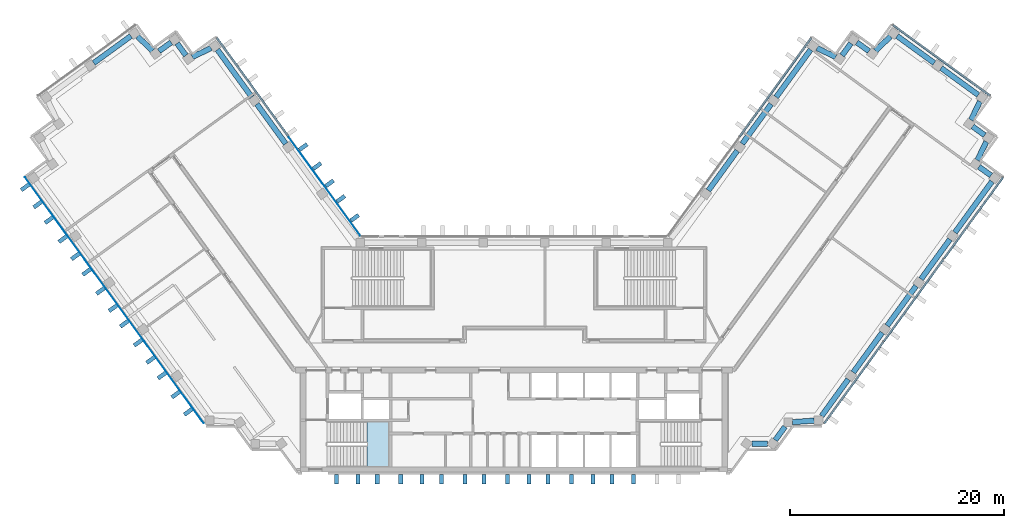
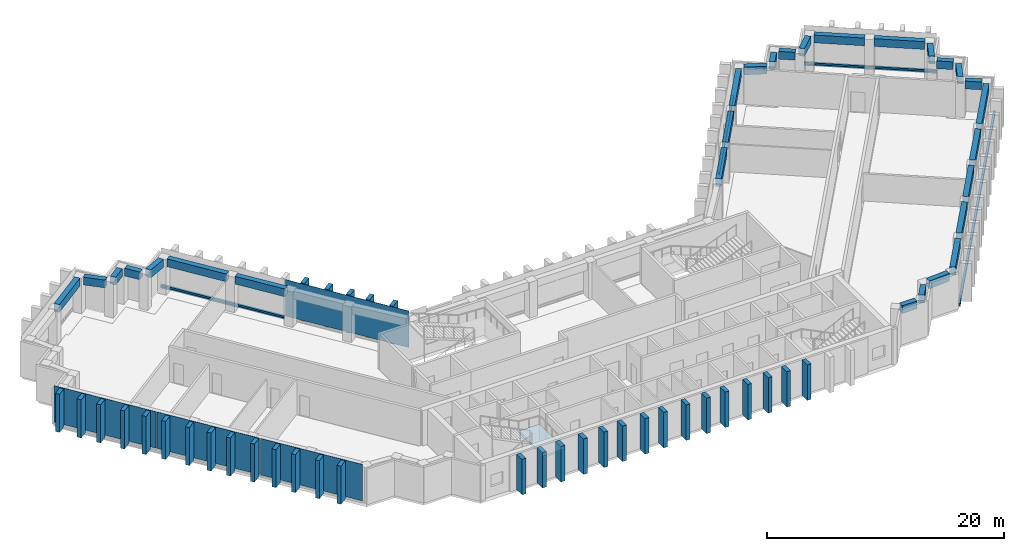
"""IFC4 building model written with IfcOpenShell, lengths in metres."""

from ifc_helpers import new_model, si_unit, direction, frame, origin, origin_2d, place, context, subcontext, project, spatial, polyline, rectangle, outline, extrude, material, layer, layer_set, material_profile, profile_set, type_object, element, aggregate, save


model = new_model("IFC4")

# Units and contexts
model_context = context("Model", 3, precision=1e-05, world=origin(), true_north=direction((0.0, 1.0)))
body_context = subcontext(model_context, "Body", "Model", "MODEL_VIEW")
ifc_project = project(units=[si_unit("LENGTHUNIT", "METRE"), si_unit("AREAUNIT", "SQUARE_METRE"), si_unit("VOLUMEUNIT", "CUBIC_METRE"), si_unit("PLANEANGLEUNIT", "RADIAN"), si_unit("MASSUNIT", "GRAM", prefix="KILO")], contexts=[model_context])

# Site, building, storey
site_placement = place(None, origin())
site = spatial("IfcSite", under=ifc_project, at=site_placement, CompositionType="ELEMENT")
building_placement = place(site_placement, origin())
building = spatial("IfcBuilding", under=site, at=building_placement, Name="Quipu Civic Tower", CompositionType="ELEMENT")
storey_1_placement = place(building_placement, frame((0.0, 0.0, 168.0)))
storey_1 = spatial("IfcBuildingStorey", under=building, at=storey_1_placement, Name="L39", CompositionType="ELEMENT", Elevation=168.0)

# Beams
ifc_material_1 = material(Name="Concrete C50/60", Category="concrete")
ifc_material_profile_1 = material_profile(ifc_material_1, rectangle(XDim=0.5, YDim=0.800048828125, at=origin_2d()), Name="RC500x800")
ifc_profile_set_1 = profile_set([ifc_material_profile_1], Name="Concrete C50/60")
beam_type = type_object("IfcBeamType", Name="Spandrel beam RC 500x800 C50/60", PredefinedType="SPANDREL", material=ifc_profile_set_1)
beam_1_placement = place(storey_1_placement, frame((-21.382568359375, 19.767333984375, 3.25), z_axis=(-0.587736122681, 0.809052686848, 0.0), x_axis=(-0.809052686848, -0.587736122681, 0.0)))
element("IfcBeam", 1, at=beam_1_placement, inside=storey_1, type_object=beam_type, Name="Spandrel beam L39 W-IN-02 to W-IN-03", PredefinedType="SPANDREL", context=body_context, shape_type="SweptSolid", body=[
    extrude(rectangle(XDim=0.5, YDim=0.800048828125, at=origin_2d()), origin(), (0.0, 0.0, 1.0), 4.60009765625),
])
beam_2_placement = place(storey_1_placement, frame((-24.556396484375, 24.13623046875, 3.25), z_axis=(-0.587664254196, 0.809104890815, 0.0), x_axis=(-0.809104890815, -0.587664254196, 0.0)))
element("IfcBeam", 2, at=beam_2_placement, inside=storey_1, type_object=beam_type, Name="Spandrel beam L39 W-IN-03 to T-Wi.0-W34", PredefinedType="SPANDREL", context=body_context, shape_type="SweptSolid", body=[
    extrude(rectangle(XDim=0.5, YDim=0.800048828125, at=origin_2d()), origin(), (0.0, 0.0, 1.0), 5.493896484375),
])
beam_3_placement = place(storey_1_placement, frame((-28.38720703125, 28.72998046875, 3.25), z_axis=(-0.902584802379, -0.430512107279, 0.0), x_axis=(0.430512107279, -0.902584802379, 0.0)))
element("IfcBeam", 3, at=beam_3_placement, inside=storey_1, type_object=beam_type, Name="Spandrel beam L39 T-Wi.0-W34 to T-Wi.1-W34", PredefinedType="SPANDREL", context=body_context, shape_type="SweptSolid", body=[
    extrude(rectangle(XDim=0.5, YDim=0.800048828125, at=origin_2d()), origin(), (0.0, 0.0, 1.0), 1.9326171875),
])
beam_4_placement = place(storey_1_placement, frame((-30.734375, 28.0458984375, 3.25), z_axis=(-0.589342949835, 0.80788296645, 0.0), x_axis=(-0.80788296645, -0.589342949835, 0.0)))
element("IfcBeam", 4, at=beam_4_placement, inside=storey_1, type_object=beam_type, Name="Spandrel beam L39 T-Wi.1-W34 to T-Wi.2-W34", PredefinedType="SPANDREL", context=body_context, shape_type="SweptSolid", body=[
    extrude(rectangle(XDim=0.5, YDim=0.800048828125, at=origin_2d()), origin(), (0.0, 0.0, 1.0), 1.39990234375),
])
beam_5_placement = place(storey_1_placement, frame((-32.118896484375, 29.26513671875, 3.25), z_axis=(-0.80941533633, -0.587236590578, 0.0), x_axis=(0.587236590578, -0.80941533633, 0.0)))
element("IfcBeam", 5, at=beam_5_placement, inside=storey_1, type_object=beam_type, Name="Spandrel beam L39 T-Wi.2-W34 to T-Wi.3-W34", PredefinedType="SPANDREL", context=body_context, shape_type="SweptSolid", body=[
    extrude(rectangle(XDim=0.5, YDim=0.800048828125, at=origin_2d()), origin(), (0.0, 0.0, 1.0), 1.397705078125),
])
beam_6_placement = place(storey_1_placement, frame((-33.868896484375, 28.489501953125, 3.25), z_axis=(-0.72519185421, 0.68854685722, 0.0), x_axis=(-0.68854685722, -0.72519185421, 0.0)))
element("IfcBeam", 6, at=beam_6_placement, inside=storey_1, type_object=beam_type, Name="Spandrel beam L39 T-Wi.3-W34 to T-Wi.4-W34", PredefinedType="SPANDREL", context=body_context, shape_type="SweptSolid", body=[
    extrude(rectangle(XDim=0.5, YDim=0.800048828125, at=origin_2d()), origin(), (0.0, 0.0, 1.0), 1.93212890625),
])
beam_7_placement = place(storey_1_placement, frame((-35.888671875, 29.86474609375, 3.25), z_axis=(-0.808983997561, -0.58783066583, 0.0), x_axis=(0.58783066583, -0.808983997561, 0.0)))
element("IfcBeam", 7, at=beam_7_placement, inside=storey_1, type_object=beam_type, Name="Spandrel beam L39 T-Wi.4-W34 to TIP-W-01-W34", PredefinedType="SPANDREL", context=body_context, shape_type="SweptSolid", body=[
    extrude(rectangle(XDim=0.5, YDim=0.800048828125, at=origin_2d()), origin(), (0.0, 0.0, 1.0), 4.2998046875),
])
beam_8_placement = place(storey_1_placement, frame((22.2861328125, -8.31494140625, 3.25), z_axis=(1.0, 0.0, 0.0), x_axis=(0.0, 1.0, 0.0)))
element("IfcBeam", 8, at=beam_8_placement, inside=storey_1, type_object=beam_type, Name="Spandrel beam L39 J-Eo.1 to J-Eo.2", PredefinedType="SPANDREL", context=body_context, shape_type="SweptSolid", body=[
    extrude(rectangle(XDim=0.5, YDim=0.800048828125, at=origin_2d()), origin(), (0.0, 0.0, 1.0), 1.454345703125),
])
beam_9_placement = place(storey_1_placement, frame((24.470458984375, -7.991455078125, 3.25), z_axis=(0.588405601119, 0.808565920981, 0.0), x_axis=(-0.808565920981, 0.588405601119, 0.0)))
element("IfcBeam", 9, at=beam_9_placement, inside=storey_1, type_object=beam_type, Name="Spandrel beam L39 J-Eo.2 to J-Eo.3", PredefinedType="SPANDREL", context=body_context, shape_type="SweptSolid", body=[
    extrude(rectangle(XDim=0.5, YDim=0.800048828125, at=origin_2d()), origin(), (0.0, 0.0, 1.0), 1.55126953125),
])
beam_10_placement = place(storey_1_placement, frame((26.074462890625, -6.307861328125, 3.25), z_axis=(0.997372997143, 0.072436900614, 0.0), x_axis=(-0.072436900614, 0.997372997143, 0.0)))
element("IfcBeam", 10, at=beam_10_placement, inside=storey_1, type_object=beam_type, Name="Spandrel beam L39 J-Eo.3 to J-Eo.4", PredefinedType="SPANDREL", context=body_context, shape_type="SweptSolid", body=[
    extrude(rectangle(XDim=0.5, YDim=0.800048828125, at=origin_2d()), origin(), (0.0, 0.0, 1.0), 2.055908203125),
])
beam_11_placement = place(storey_1_placement, frame((28.815673828125, -5.72998046875, 3.25), z_axis=(0.58776850526, 0.809029161541, 0.0), x_axis=(-0.809029161541, 0.58776850526, 0.0)))
element("IfcBeam", 11, at=beam_11_placement, inside=storey_1, type_object=beam_type, Name="Spandrel beam L39 J-Eo.4 to E-OUT-01", PredefinedType="SPANDREL", context=body_context, shape_type="SweptSolid", body=[
    extrude(rectangle(XDim=0.5, YDim=0.800048828125, at=origin_2d()), origin(), (0.0, 0.0, 1.0), 4.249267578125),
])
beam_12_placement = place(storey_1_placement, frame((31.783447265625, -1.64501953125, 3.25), z_axis=(0.587796098864, 0.809009113768, 0.0), x_axis=(-0.809009113768, 0.587796098864, 0.0)))
element("IfcBeam", 12, at=beam_12_placement, inside=storey_1, type_object=beam_type, Name="Spandrel beam L39 E-OUT-01 to E-OUT-02", PredefinedType="SPANDREL", context=body_context, shape_type="SweptSolid", body=[
    extrude(rectangle(XDim=0.5, YDim=0.800048828125, at=origin_2d()), origin(), (0.0, 0.0, 1.0), 4.60009765625),
])
beam_13_placement = place(storey_1_placement, frame((34.95751953125, 2.7236328125, 3.25), z_axis=(0.58776136044, 0.809034352283, 0.0), x_axis=(-0.809034352283, 0.58776136044, 0.0)))
element("IfcBeam", 13, at=beam_13_placement, inside=storey_1, type_object=beam_type, Name="Spandrel beam L39 E-OUT-02 to E-OUT-03", PredefinedType="SPANDREL", context=body_context, shape_type="SweptSolid", body=[
    extrude(rectangle(XDim=0.5, YDim=0.800048828125, at=origin_2d()), origin(), (0.0, 0.0, 1.0), 4.599853515625),
])
beam_14_placement = place(storey_1_placement, frame((38.13134765625, 7.09228515625, 3.25), z_axis=(0.587770861189, 0.809027449928, 0.0), x_axis=(-0.809027449928, 0.587770861189, 0.0)))
element("IfcBeam", 14, at=beam_14_placement, inside=storey_1, type_object=beam_type, Name="Spandrel beam L39 E-OUT-03 to E-OUT-04", PredefinedType="SPANDREL", context=body_context, shape_type="SweptSolid", body=[
    extrude(rectangle(XDim=0.5, YDim=0.800048828125, at=origin_2d()), origin(), (0.0, 0.0, 1.0), 4.60009765625),
])
beam_15_placement = place(storey_1_placement, frame((41.305419921875, 11.461181640625, 3.25), z_axis=(0.58780026889, 0.809006083965, 0.0), x_axis=(-0.809006083965, 0.58780026889, 0.0)))
element("IfcBeam", 15, at=beam_15_placement, inside=storey_1, type_object=beam_type, Name="Spandrel beam L39 E-OUT-04 to T-Eo.0-E34", PredefinedType="SPANDREL", context=body_context, shape_type="SweptSolid", body=[
    extrude(rectangle(XDim=0.5, YDim=0.800048828125, at=origin_2d()), origin(), (0.0, 0.0, 1.0), 5.902587890625),
])
beam_16_placement = place(storey_1_placement, frame((44.6865234375, 16.79541015625, 3.25), z_axis=(-0.808600329101, 0.588358315805, 0.0), x_axis=(-0.588358315805, -0.808600329101, 0.0)))
element("IfcBeam", 16, at=beam_16_placement, inside=storey_1, type_object=beam_type, Name="Spandrel beam L39 T-Eo.0-E34 to T-Eo.1-E34", PredefinedType="SPANDREL", context=body_context, shape_type="SweptSolid", body=[
    extrude(rectangle(XDim=0.5, YDim=0.800048828125, at=origin_2d()), origin(), (0.0, 0.0, 1.0), 1.400146484375),
])
beam_17_placement = place(storey_1_placement, frame((43.40625, 18.2216796875, 3.25), z_axis=(0.430785642718, 0.902454281406, 0.0), x_axis=(-0.902454281406, 0.430785642718, 0.0)))
element("IfcBeam", 17, at=beam_17_placement, inside=storey_1, type_object=beam_type, Name="Spandrel beam L39 T-Eo.1-E34 to T-Eo.2-E34", PredefinedType="SPANDREL", context=body_context, shape_type="SweptSolid", body=[
    extrude(rectangle(XDim=0.5, YDim=0.800048828125, at=origin_2d()), origin(), (0.0, 0.0, 1.0), 1.934814453125),
])
beam_18_placement = place(storey_1_placement, frame((44.09130859375, 20.56982421875, 3.25), z_axis=(-0.809467380413, 0.587164849125, 0.0), x_axis=(-0.587164849125, -0.809467380413, 0.0)))
element("IfcBeam", 18, at=beam_18_placement, inside=storey_1, type_object=beam_type, Name="Spandrel beam L39 T-Eo.2-E34 to T-Eo.3-E34", PredefinedType="SPANDREL", context=body_context, shape_type="SweptSolid", body=[
    extrude(rectangle(XDim=0.5, YDim=0.800048828125, at=origin_2d()), origin(), (0.0, 0.0, 1.0), 1.399169921875),
])
beam_19_placement = place(storey_1_placement, frame((42.809814453125, 21.99365234375, 3.25), z_axis=(0.429889421342, 0.902881545618, 0.0), x_axis=(-0.902881545618, 0.429889421342, 0.0)))
element("IfcBeam", 19, at=beam_19_placement, inside=storey_1, type_object=beam_type, Name="Spandrel beam L39 T-Eo.3-E34 to T-Eo.4-E34", PredefinedType="SPANDREL", context=body_context, shape_type="SweptSolid", body=[
    extrude(rectangle(XDim=0.5, YDim=0.800048828125, at=origin_2d()), origin(), (0.0, 0.0, 1.0), 1.931396484375),
])
beam_20_placement = place(storey_1_placement, frame((43.491455078125, 24.340087890625, 3.25), z_axis=(-0.808947267178, 0.587881211578, 0.0), x_axis=(-0.587881211578, -0.808947267178, 0.0)))
element("IfcBeam", 20, at=beam_20_placement, inside=storey_1, type_object=beam_type, Name="Spandrel beam L39 T-Eo.4-E34 to TIP-E-01-E34", PredefinedType="SPANDREL", context=body_context, shape_type="SweptSolid", body=[
    extrude(rectangle(XDim=0.5, YDim=0.800048828125, at=origin_2d()), origin(), (0.0, 0.0, 1.0), 4.29833984375),
])
beam_21_placement = place(storey_1_placement, frame((39.3671875, 27.337158203125, 3.25), z_axis=(-0.808983997561, 0.58783066583, 0.0), x_axis=(-0.58783066583, -0.808983997561, 0.0)))
element("IfcBeam", 21, at=beam_21_placement, inside=storey_1, type_object=beam_type, Name="Spandrel beam L39 TIP-E-01-E34 to T-Ei.0-E34", PredefinedType="SPANDREL", context=body_context, shape_type="SweptSolid", body=[
    extrude(rectangle(XDim=0.5, YDim=0.800048828125, at=origin_2d()), origin(), (0.0, 0.0, 1.0), 4.2998046875),
])
beam_22_placement = place(storey_1_placement, frame((35.27001953125, 29.81982421875, 3.25), z_axis=(-0.72519185421, -0.68854685722, 0.0), x_axis=(0.68854685722, -0.72519185421, 0.0)))
element("IfcBeam", 22, at=beam_22_placement, inside=storey_1, type_object=beam_type, Name="Spandrel beam L39 T-Ei.0-E34 to T-Ei.1-E34", PredefinedType="SPANDREL", context=body_context, shape_type="SweptSolid", body=[
    extrude(rectangle(XDim=0.5, YDim=0.800048828125, at=origin_2d()), origin(), (0.0, 0.0, 1.0), 1.93212890625),
])
beam_23_placement = place(storey_1_placement, frame((33.250244140625, 28.4443359375, 3.25), z_axis=(-0.80941533633, 0.587236590578, 0.0), x_axis=(-0.587236590578, -0.80941533633, 0.0)))
element("IfcBeam", 23, at=beam_23_placement, inside=storey_1, type_object=beam_type, Name="Spandrel beam L39 T-Ei.1-E34 to T-Ei.2-E34", PredefinedType="SPANDREL", context=body_context, shape_type="SweptSolid", body=[
    extrude(rectangle(XDim=0.5, YDim=0.800048828125, at=origin_2d()), origin(), (0.0, 0.0, 1.0), 1.397705078125),
])
beam_24_placement = place(storey_1_placement, frame((31.559326171875, 29.1767578125, 3.25), z_axis=(-0.589342949835, -0.80788296645, 0.0), x_axis=(0.80788296645, -0.589342949835, 0.0)))
element("IfcBeam", 24, at=beam_24_placement, inside=storey_1, type_object=beam_type, Name="Spandrel beam L39 T-Ei.2-E34 to T-Ei.3-E34", PredefinedType="SPANDREL", context=body_context, shape_type="SweptSolid", body=[
    extrude(rectangle(XDim=0.5, YDim=0.800048828125, at=origin_2d()), origin(), (0.0, 0.0, 1.0), 1.39990234375),
])
beam_25_placement = place(storey_1_placement, frame((30.131591796875, 27.89794921875, 3.25), z_axis=(-0.902584802379, 0.430512107279, 0.0), x_axis=(-0.430512107279, -0.902584802379, 0.0)))
element("IfcBeam", 25, at=beam_25_placement, inside=storey_1, type_object=beam_type, Name="Spandrel beam L39 T-Ei.3-E34 to T-Ei.4-E34", PredefinedType="SPANDREL", context=body_context, shape_type="SweptSolid", body=[
    extrude(rectangle(XDim=0.5, YDim=0.800048828125, at=origin_2d()), origin(), (0.0, 0.0, 1.0), 1.9326171875),
])
beam_26_placement = place(storey_1_placement, frame((27.784912109375, 28.581298828125, 3.25), z_axis=(-0.587664254196, -0.809104890815, 0.0), x_axis=(0.809104890815, -0.587664254196, 0.0)))
element("IfcBeam", 26, at=beam_26_placement, inside=storey_1, type_object=beam_type, Name="Spandrel beam L39 T-Ei.4-E34 to E-IN-03", PredefinedType="SPANDREL", context=body_context, shape_type="SweptSolid", body=[
    extrude(rectangle(XDim=0.5, YDim=0.800048828125, at=origin_2d()), origin(), (0.0, 0.0, 1.0), 5.493896484375),
])
beam_27_placement = place(storey_1_placement, frame((24.086181640625, 23.489013671875, 3.25), z_axis=(-0.587736122681, -0.809052686848, 0.0), x_axis=(0.809052686848, -0.587736122681, 0.0)))
element("IfcBeam", 27, at=beam_27_placement, inside=storey_1, type_object=beam_type, Name="Spandrel beam L39 E-IN-03 to E-IN-02", PredefinedType="SPANDREL", context=body_context, shape_type="SweptSolid", body=[
    extrude(rectangle(XDim=0.5, YDim=0.800048828125, at=origin_2d()), origin(), (0.0, 0.0, 1.0), 4.60009765625),
])
beam_28_placement = place(storey_1_placement, frame((20.912353515625, 19.1201171875, 3.25), z_axis=(-0.58776136044, -0.809034352283, 0.0), x_axis=(0.809034352283, -0.58776136044, 0.0)))
element("IfcBeam", 28, at=beam_28_placement, inside=storey_1, type_object=beam_type, Name="Spandrel beam L39 E-IN-02 to E-IN-01", PredefinedType="SPANDREL", context=body_context, shape_type="SweptSolid", body=[
    extrude(rectangle(XDim=0.5, YDim=0.800048828125, at=origin_2d()), origin(), (0.0, 0.0, 1.0), 4.599853515625),
])

# Storey
storey_2_placement = place(building_placement, frame((0.0, 0.0, 160.0)))
storey_2 = spatial("IfcBuildingStorey", under=building, at=storey_2_placement, Name="L37", CompositionType="ELEMENT", Elevation=160.0)

# Curtain wall, member
ifc_material_2 = material(Name="Insulated glass unit", Category="glass")
curtain_wall_type = type_object("IfcCurtainWallType", Name="Office curtain wall CW1", PredefinedType="NOTDEFINED", material=ifc_material_2)
curtain_wall_1_placement = place(storey_2_placement, origin())
curtain_wall_1 = element("IfcCurtainWall", 29, at=curtain_wall_1_placement, inside=storey_2, type_object=curtain_wall_type, Name="Office curtain wall CW1 L36 run 10", PredefinedType="NOTDEFINED")
ifc_material_3 = material(Name="Anodised aluminium", Category="aluminium")
ifc_material_profile_2 = material_profile(ifc_material_3, rectangle(XDim=0.199951171875, YDim=0.159912109375, at=origin_2d()), Name="RECT 200x160")
ifc_profile_set_2 = profile_set([ifc_material_profile_2], Name="Anodised aluminium")
member_type = type_object("IfcMemberType", Name="Transom CW1", PredefinedType="USERDEFINED", material=ifc_profile_set_2)
member_1_placement = place(storey_1_placement, frame((-21.140380859375, 20.453857421875, 0.0), z_axis=(-0.587775682251, 0.809023947331, 0.0), x_axis=(-0.809023947331, -0.587775682251, 0.0)))
member_1 = element("IfcMember", 30, at=member_1_placement, inside=storey_1, type_object=member_type, Name="CW1 transom 2.4", ObjectType="TRANSOM", PredefinedType="USERDEFINED", context=body_context, shape_type="SweptSolid", body=[
    extrude(rectangle(XDim=0.199951171875, YDim=0.159912109375, at=origin_2d()), origin(), (0.0, 0.0, 1.0), 11.402099609375),
])
aggregate(curtain_wall_1, [member_1])

# Curtain wall, members
curtain_wall_2_placement = place(storey_2_placement, origin())
curtain_wall_2 = element("IfcCurtainWall", 31, at=curtain_wall_2_placement, inside=storey_2, type_object=curtain_wall_type, Name="Office curtain wall CW1 L36 run 26", PredefinedType="NOTDEFINED")
member_2_placement = place(storey_1_placement, frame((29.052978515625, -6.424072265625, 0.0), z_axis=(0.587783783239, 0.809018061703, 0.0), x_axis=(-0.809018061703, 0.587783783239, 0.0)))
member_2 = element("IfcMember", 32, at=member_2_placement, inside=storey_1, type_object=member_type, Name="CW1 transom 1.4", ObjectType="TRANSOM", PredefinedType="USERDEFINED", context=body_context, shape_type="SweptSolid", body=[
    extrude(rectangle(XDim=0.199951171875, YDim=0.159912109375, at=origin_2d()), origin(), (0.0, 0.0, 1.0), 9.431884765625),
])
member_3_placement = place(storey_1_placement, frame((34.64404296875, 1.271240234375, 0.0), z_axis=(0.587773158676, 0.809025780763, 0.0), x_axis=(-0.809025780763, 0.587773158676, 0.0)))
member_3 = element("IfcMember", 33, at=member_3_placement, inside=storey_1, type_object=member_type, Name="CW1 transom 2.4", ObjectType="TRANSOM", PredefinedType="USERDEFINED", context=body_context, shape_type="SweptSolid", body=[
    extrude(rectangle(XDim=0.199951171875, YDim=0.159912109375, at=origin_2d()), origin(), (0.0, 0.0, 1.0), 9.471923828125),
])
member_4_placement = place(storey_1_placement, frame((40.258544921875, 8.9990234375, 0.0), z_axis=(0.587783783239, 0.809018061703, 0.0), x_axis=(-0.809018061703, 0.587783783239, 0.0)))
member_4 = element("IfcMember", 34, at=member_4_placement, inside=storey_1, type_object=member_type, Name="CW1 transom 3.4", ObjectType="TRANSOM", PredefinedType="USERDEFINED", context=body_context, shape_type="SweptSolid", body=[
    extrude(rectangle(XDim=0.199951171875, YDim=0.159912109375, at=origin_2d()), origin(), (0.0, 0.0, 1.0), 9.431884765625),
])
aggregate(curtain_wall_2, [member_2, member_3, member_4])

# Curtain wall, member
curtain_wall_3_placement = place(storey_2_placement, origin())
curtain_wall_3 = element("IfcCurtainWall", 35, at=curtain_wall_3_placement, inside=storey_2, type_object=curtain_wall_type, Name="Office curtain wall CW1 L36 run 31", PredefinedType="NOTDEFINED")
member_5_placement = place(storey_1_placement, frame((44.590087890625, 24.2841796875, 0.0), z_axis=(-0.809014959561, 0.587788052963, 0.0), x_axis=(-0.587788052963, -0.809014959561, 0.0)))
member_5 = element("IfcMember", 36, at=member_5_placement, inside=storey_1, type_object=member_type, Name="CW1 transom 1.4", ObjectType="TRANSOM", PredefinedType="USERDEFINED", context=body_context, shape_type="SweptSolid", body=[
    extrude(rectangle(XDim=0.199951171875, YDim=0.159912109375, at=origin_2d()), origin(), (0.0, 0.0, 1.0), 11.239990234375),
])
aggregate(curtain_wall_3, [member_5])

curtain_wall_4_placement = place(storey_2_placement, origin())
curtain_wall_4 = element("IfcCurtainWall", 37, at=curtain_wall_4_placement, inside=storey_2, type_object=curtain_wall_type, Name="Office curtain wall CW1 L36 run 36", PredefinedType="NOTDEFINED")
member_6_placement = place(storey_1_placement, frame((27.84228515625, 29.678466796875, 0.0), z_axis=(-0.587775682251, -0.809023947331, 0.0), x_axis=(0.809023947331, -0.587775682251, 0.0)))
member_6 = element("IfcMember", 38, at=member_6_placement, inside=storey_1, type_object=member_type, Name="CW1 transom 1.4", ObjectType="TRANSOM", PredefinedType="USERDEFINED", context=body_context, shape_type="SweptSolid", body=[
    extrude(rectangle(XDim=0.199951171875, YDim=0.159912109375, at=origin_2d()), origin(), (0.0, 0.0, 1.0), 11.402099609375),
])
aggregate(curtain_wall_4, [member_6])

# Storey
storey_3_placement = place(building_placement, frame((0.0, 0.0, 172.0)))
storey_3 = spatial("IfcBuildingStorey", under=building, at=storey_3_placement, Name="L40", CompositionType="ELEMENT", Elevation=172.0)

# Curtain wall, member
curtain_wall_5_placement = place(storey_3_placement, origin())
curtain_wall_5 = element("IfcCurtainWall", 39, at=curtain_wall_5_placement, inside=storey_3, type_object=curtain_wall_type, Name="Office curtain wall CW1 L39 run 1", PredefinedType="NOTDEFINED")
member_7_placement = place(storey_1_placement, frame((-21.140380859375, 20.453857421875, 0.159912109375), z_axis=(-0.587775682251, 0.809023947331, 0.0), x_axis=(-0.809023947331, -0.587775682251, 0.0)))
member_7 = element("IfcMember", 40, at=member_7_placement, inside=storey_1, type_object=member_type, Name="CW1 transom 2.1", ObjectType="TRANSOM", PredefinedType="USERDEFINED", context=body_context, shape_type="SweptSolid", body=[
    extrude(rectangle(XDim=0.199951171875, YDim=0.159912109375, at=origin_2d()), origin(), (0.0, 0.0, 1.0), 11.402099609375),
])

# Curtain wall, members
curtain_wall_6_placement = place(storey_3_placement, origin())
curtain_wall_6 = element("IfcCurtainWall", 41, at=curtain_wall_6_placement, inside=storey_3, type_object=curtain_wall_type, Name="Office curtain wall CW1 L39 run 20", PredefinedType="NOTDEFINED")
member_8_placement = place(storey_1_placement, frame((29.052978515625, -6.424072265625, 0.159912109375), z_axis=(0.587783783239, 0.809018061703, 0.0), x_axis=(-0.809018061703, 0.587783783239, 0.0)))
member_8 = element("IfcMember", 42, at=member_8_placement, inside=storey_1, type_object=member_type, Name="CW1 transom 1.1", ObjectType="TRANSOM", PredefinedType="USERDEFINED", context=body_context, shape_type="SweptSolid", body=[
    extrude(rectangle(XDim=0.199951171875, YDim=0.159912109375, at=origin_2d()), origin(), (0.0, 0.0, 1.0), 9.431884765625),
])
member_9_placement = place(storey_1_placement, frame((34.64404296875, 1.271240234375, 0.159912109375), z_axis=(0.587773158676, 0.809025780763, 0.0), x_axis=(-0.809025780763, 0.587773158676, 0.0)))
member_9 = element("IfcMember", 43, at=member_9_placement, inside=storey_1, type_object=member_type, Name="CW1 transom 2.1", ObjectType="TRANSOM", PredefinedType="USERDEFINED", context=body_context, shape_type="SweptSolid", body=[
    extrude(rectangle(XDim=0.199951171875, YDim=0.159912109375, at=origin_2d()), origin(), (0.0, 0.0, 1.0), 9.471923828125),
])
member_10_placement = place(storey_1_placement, frame((40.258544921875, 8.9990234375, 0.159912109375), z_axis=(0.587783783239, 0.809018061703, 0.0), x_axis=(-0.809018061703, 0.587783783239, 0.0)))
member_10 = element("IfcMember", 44, at=member_10_placement, inside=storey_1, type_object=member_type, Name="CW1 transom 3.1", ObjectType="TRANSOM", PredefinedType="USERDEFINED", context=body_context, shape_type="SweptSolid", body=[
    extrude(rectangle(XDim=0.199951171875, YDim=0.159912109375, at=origin_2d()), origin(), (0.0, 0.0, 1.0), 9.431884765625),
])
aggregate(curtain_wall_6, [member_8, member_9, member_10])

# Curtain wall, member
curtain_wall_7_placement = place(storey_3_placement, origin())
curtain_wall_7 = element("IfcCurtainWall", 45, at=curtain_wall_7_placement, inside=storey_3, type_object=curtain_wall_type, Name="Office curtain wall CW1 L39 run 25", PredefinedType="NOTDEFINED")
member_11_placement = place(storey_1_placement, frame((44.590087890625, 24.2841796875, 0.159912109375), z_axis=(-0.809014959561, 0.587788052963, 0.0), x_axis=(-0.587788052963, -0.809014959561, 0.0)))
member_11 = element("IfcMember", 46, at=member_11_placement, inside=storey_1, type_object=member_type, Name="CW1 transom 1.1", ObjectType="TRANSOM", PredefinedType="USERDEFINED", context=body_context, shape_type="SweptSolid", body=[
    extrude(rectangle(XDim=0.199951171875, YDim=0.159912109375, at=origin_2d()), origin(), (0.0, 0.0, 1.0), 11.239990234375),
])
aggregate(curtain_wall_7, [member_11])

curtain_wall_8_placement = place(storey_3_placement, origin())
curtain_wall_8 = element("IfcCurtainWall", 47, at=curtain_wall_8_placement, inside=storey_3, type_object=curtain_wall_type, Name="Office curtain wall CW1 L39 run 30", PredefinedType="NOTDEFINED")
member_12_placement = place(storey_1_placement, frame((27.84228515625, 29.678466796875, 0.159912109375), z_axis=(-0.587775682251, -0.809023947331, 0.0), x_axis=(0.809023947331, -0.587775682251, 0.0)))
member_12 = element("IfcMember", 48, at=member_12_placement, inside=storey_1, type_object=member_type, Name="CW1 transom 1.1", ObjectType="TRANSOM", PredefinedType="USERDEFINED", context=body_context, shape_type="SweptSolid", body=[
    extrude(rectangle(XDim=0.199951171875, YDim=0.159912109375, at=origin_2d()), origin(), (0.0, 0.0, 1.0), 11.402099609375),
])
aggregate(curtain_wall_8, [member_12])

# Plate
ifc_material_4 = material(Name="Insulated glass unit", Category="glass")
ifc_layer_1 = layer(ifc_material_4, 0.028076171875)
ifc_layer_set_1 = layer_set([ifc_layer_1], Name="Insulated glass unit")
plate_type_1 = type_object("IfcPlateType", Name="Glass panel CW1", PredefinedType="CURTAIN_PANEL", material=ifc_layer_set_1)
plate_1_placement = place(storey_1_placement, frame((-17.7421875, 15.777099609375, 0.240234375), z_axis=(0.0, 0.0, 1.0), x_axis=(-0.587788727052, 0.809014469803, 0.0)))
plate_1 = element("IfcPlate", 49, at=plate_1_placement, inside=storey_1, type_object=plate_type_1, Name="CW1 panel 1.1", PredefinedType="CURTAIN_PANEL", context=body_context, shape_type="SweptSolid", body=[
    extrude(rectangle(XDim=11.402099609375, YDim=0.028076171875, at=origin_2d()), origin(), (0.0, 0.0, 1.0), 3.760009765625),
])

aggregate(curtain_wall_5, [plate_1, member_7])

# Curtain wall, plates
curtain_wall_9_placement = place(storey_3_placement, origin())
curtain_wall_9 = element("IfcCurtainWall", 50, at=curtain_wall_9_placement, inside=storey_3, type_object=curtain_wall_type, Name="Office curtain wall CW1 L39 run 8", PredefinedType="NOTDEFINED")
plate_2_placement = place(storey_1_placement, frame((-43.030517578125, 12.814208984375, 0.240234375), z_axis=(0.0, 0.0, 1.0), x_axis=(0.5877856923, -0.80901667469, 0.0)))
plate_2 = element("IfcPlate", 51, at=plate_2_placement, inside=storey_1, type_object=plate_type_1, Name="CW1 panel 1.1", PredefinedType="CURTAIN_PANEL", context=body_context, shape_type="SweptSolid", body=[
    extrude(rectangle(XDim=9.43212890625, YDim=0.028076171875, at=origin_2d()), origin(), (0.0, 0.0, 1.0), 3.760009765625),
])
plate_3_placement = place(storey_1_placement, frame((-37.427734375, 5.102783203125, 0.240234375), z_axis=(0.0, 0.0, 1.0), x_axis=(0.5877856923, -0.80901667469, 0.0)))
plate_3 = element("IfcPlate", 52, at=plate_3_placement, inside=storey_1, type_object=plate_type_1, Name="CW1 panel 2.1", PredefinedType="CURTAIN_PANEL", context=body_context, shape_type="SweptSolid", body=[
    extrude(rectangle(XDim=9.471923828125, YDim=0.028076171875, at=origin_2d()), origin(), (0.0, 0.0, 1.0), 3.760009765625),
])
plate_4_placement = place(storey_1_placement, frame((-31.824951171875, -2.60888671875, 0.240234375), z_axis=(0.0, 0.0, 1.0), x_axis=(0.5877856923, -0.80901667469, 0.0)))
plate_4 = element("IfcPlate", 53, at=plate_4_placement, inside=storey_1, type_object=plate_type_1, Name="CW1 panel 3.1", PredefinedType="CURTAIN_PANEL", context=body_context, shape_type="SweptSolid", body=[
    extrude(rectangle(XDim=9.43212890625, YDim=0.028076171875, at=origin_2d()), origin(), (0.0, 0.0, 1.0), 3.760009765625),
])
aggregate(curtain_wall_9, [plate_2, plate_3, plate_4])

# Plates
ifc_material_5 = material(Name="Precast concrete C40/50", Category="concrete")
plate_type_2 = type_object("IfcPlateType", Name="Precast fin F2", PredefinedType="SHEET", material=ifc_material_5)
for number, where, z_axis, x_axis, name in (
    (54, (-14.92138671875, 12.830078125, 0.080078125), (0.0, 0.0, 1.0), (-0.587787133119, 0.809015627871, 0.0), "Precast fin F2 L39.1.1"),
    (55, (-16.214599609375, 14.610107421875, 0.080078125), (0.0, 0.0, 1.0), (-0.587787133119, 0.809015627871, 0.0), "Precast fin F2 L39.1.2"),
    (56, (-17.272705078125, 16.066162109375, 0.080078125), (0.0, 0.0, 1.0), (-0.587787133119, 0.809015627871, 0.0), "Precast fin F2 L39.1.3"),
    (57, (-18.4482421875, 17.684326171875, 0.080078125), (0.0, 0.0, 1.0), (-0.587787133119, 0.809015627871, 0.0), "Precast fin F2 L39.1.4"),
    (58, (-19.741455078125, 19.464111328125, 0.080078125), (0.0, 0.0, 1.0), (-0.587787133119, 0.809015627871, 0.0), "Precast fin F2 L39.1.5"),
    (59, (-45.80078125, 15.69140625, 0.080078125), (0.0, 0.0, 1.0), (0.587785620359, -0.809016726959, 0.0), "Precast fin F2 L39.8.1"),
    (60, (-44.625244140625, 14.073486328125, 0.080078125), (0.0, 0.0, 1.0), (0.587785620359, -0.809016726959, 0.0), "Precast fin F2 L39.8.2"),
    (61, (-43.567138671875, 12.6171875, 0.080078125), (0.0, 0.0, 1.0), (0.587785620359, -0.809016726959, 0.0), "Precast fin F2 L39.8.3"),
    (62, (-42.27392578125, 10.83740234375, 0.080078125), (0.0, 0.0, 1.0), (0.587785620359, -0.809016726959, 0.0), "Precast fin F2 L39.8.4"),
    (63, (-41.098388671875, 9.21923828125, 0.080078125), (0.0, 0.0, 1.0), (0.587785620359, -0.809016726959, 0.0), "Precast fin F2 L39.8.5"),
    (64, (-40.040283203125, 7.76318359375, 0.080078125), (0.0, 0.0, 1.0), (0.587785620359, -0.809016726959, 0.0), "Precast fin F2 L39.8.6"),
    (65, (-38.747314453125, 5.983154296875, 0.080078125), (0.0, 0.0, 1.0), (0.587785620359, -0.809016726959, 0.0), "Precast fin F2 L39.8.7"),
    (66, (-37.57177734375, 4.365234375, 0.080078125), (0.0, 0.0, 1.0), (0.587785620359, -0.809016726959, 0.0), "Precast fin F2 L39.8.8"),
    (67, (-36.513671875, 2.908935546875, 0.080078125), (0.0, 0.0, 1.0), (0.587785620359, -0.809016726959, 0.0), "Precast fin F2 L39.8.9"),
    (68, (-35.220458984375, 1.129150390625, 0.080078125), (0.0, 0.0, 1.0), (0.587785620359, -0.809016726959, 0.0), "Precast fin F2 L39.8.10"),
    (69, (-34.044921875, -0.48876953125, 0.080078125), (0.0, 0.0, 1.0), (0.587785620359, -0.809016726959, 0.0), "Precast fin F2 L39.8.11"),
    (70, (-32.987060546875, -1.945068359375, 0.080078125), (0.0, 0.0, 1.0), (0.587785620359, -0.809016726959, 0.0), "Precast fin F2 L39.8.12"),
    (71, (-31.69384765625, -3.724853515625, 0.080078125), (0.0, 0.0, 1.0), (0.587785620359, -0.809016726959, 0.0), "Precast fin F2 L39.8.13"),
    (72, (-30.518310546875, -5.343017578125, 0.080078125), (0.0, 0.0, 1.0), (0.587785620359, -0.809016726959, 0.0), "Precast fin F2 L39.8.14"),
):
    element("IfcPlate", number, at=place(storey_1_placement, frame(where, z_axis=z_axis, x_axis=x_axis)), inside=storey_1, type_object=plate_type_2, Name=name, PredefinedType="SHEET", context=body_context, shape_type="SweptSolid", body=[
        extrude(rectangle(XDim=0.3798828125, YDim=0.89990234375, at=origin_2d()), origin(), (0.0, 0.0, 1.0), 3.919921875),
    ])
for number, where, z_axis, x_axis, name in (
    (73, (-16.610107421875, -11.637939453125, 0.0), (0.0, 0.0, 1.0), (1.0, 0.0, 0.0), "Precast fin F2 L39.14.1"),
    (74, (-14.610107421875, -11.637939453125, 0.0), (0.0, 0.0, 1.0), (1.0, 0.0, 0.0), "Precast fin F2 L39.14.2"),
    (75, (-12.81005859375, -11.637939453125, 0.0), (0.0, 0.0, 1.0), (1.0, 0.0, 0.0), "Precast fin F2 L39.14.3"),
    (76, (-10.610107421875, -11.637939453125, 0.0), (0.0, 0.0, 1.0), (1.0, 0.0, 0.0), "Precast fin F2 L39.14.4"),
    (77, (-8.610107421875, -11.637939453125, 0.0), (0.0, 0.0, 1.0), (1.0, 0.0, 0.0), "Precast fin F2 L39.14.5"),
    (78, (-6.81005859375, -11.637939453125, 0.0), (0.0, 0.0, 1.0), (1.0, 0.0, 0.0), "Precast fin F2 L39.14.6"),
    (79, (-4.610107421875, -11.637939453125, 0.0), (0.0, 0.0, 1.0), (1.0, 0.0, 0.0), "Precast fin F2 L39.14.7"),
    (80, (-2.81005859375, -11.637939453125, 0.0), (0.0, 0.0, 1.0), (1.0, 0.0, 0.0), "Precast fin F2 L39.14.8"),
    (81, (-0.610107421875, -11.637939453125, 0.0), (0.0, 0.0, 1.0), (1.0, 0.0, 0.0), "Precast fin F2 L39.14.9"),
    (82, (1.389892578125, -11.637939453125, 0.0), (0.0, 0.0, 1.0), (1.0, 0.0, 0.0), "Precast fin F2 L39.14.10"),
    (83, (3.18994140625, -11.637939453125, 0.0), (0.0, 0.0, 1.0), (1.0, 0.0, 0.0), "Precast fin F2 L39.14.11"),
    (84, (5.389892578125, -11.637939453125, 0.0), (0.0, 0.0, 1.0), (1.0, 0.0, 0.0), "Precast fin F2 L39.14.12"),
    (85, (7.389892578125, -11.637939453125, 0.0), (0.0, 0.0, 1.0), (1.0, 0.0, 0.0), "Precast fin F2 L39.14.13"),
    (86, (9.18994140625, -11.637939453125, 0.0), (0.0, 0.0, 1.0), (1.0, 0.0, 0.0), "Precast fin F2 L39.14.14"),
    (87, (11.18994140625, -11.637939453125, 0.0), (0.0, 0.0, 1.0), (1.0, 0.0, 0.0), "Precast fin F2 L39.14.15"),
):
    element("IfcPlate", number, at=place(storey_1_placement, frame(where, z_axis=z_axis, x_axis=x_axis)), inside=storey_1, type_object=plate_type_2, Name=name, PredefinedType="SHEET", context=body_context, shape_type="SweptSolid", body=[
        extrude(rectangle(XDim=0.3798828125, YDim=0.89990234375, at=origin_2d()), origin(), (0.0, 0.0, 1.0), 3.64990234375),
    ])

# Stair, slab
ifc_material_6 = material(Name="Concrete C40/50", Category="concrete")
stair_type = type_object("IfcStairType", Name="Half turn stair 2000", PredefinedType="HALF_TURN_STAIR", material=ifc_material_6)
stair_placement = place(storey_1_placement, origin())
stair = element("IfcStair", 88, at=stair_placement, inside=storey_1, type_object=stair_type, Name="Exit stair 1", PredefinedType="HALF_TURN_STAIR")
ifc_material_7 = material(Name="Concrete C40/50", Category="concrete")
ifc_layer_2 = layer(ifc_material_7, 0.199951171875)
ifc_layer_set_2 = layer_set([ifc_layer_2], Name="Concrete C40/50")
slab_type = type_object("IfcSlabType", Name="Stair landing 200", PredefinedType="LANDING", material=ifc_layer_set_2)
slab_placement = place(storey_1_placement, frame((0.0, 0.0, 1.800048828125)))
slab = element("IfcSlab", 89, at=slab_placement, type_object=slab_type, Name="ST-1 landing 1", PredefinedType="LANDING", context=body_context, shape_type="SweptSolid", body=[
    extrude(outline(polyline([(-13.780029296875, -10.5), (-11.699951171875, -10.5), (-11.699951171875, -6.25), (-13.780029296875, -6.25), (-13.780029296875, -10.5)])), origin(), (0.0, 0.0, 1.0), 0.199951171875),
])
aggregate(stair, [slab])

save(model, "model.ifc")
